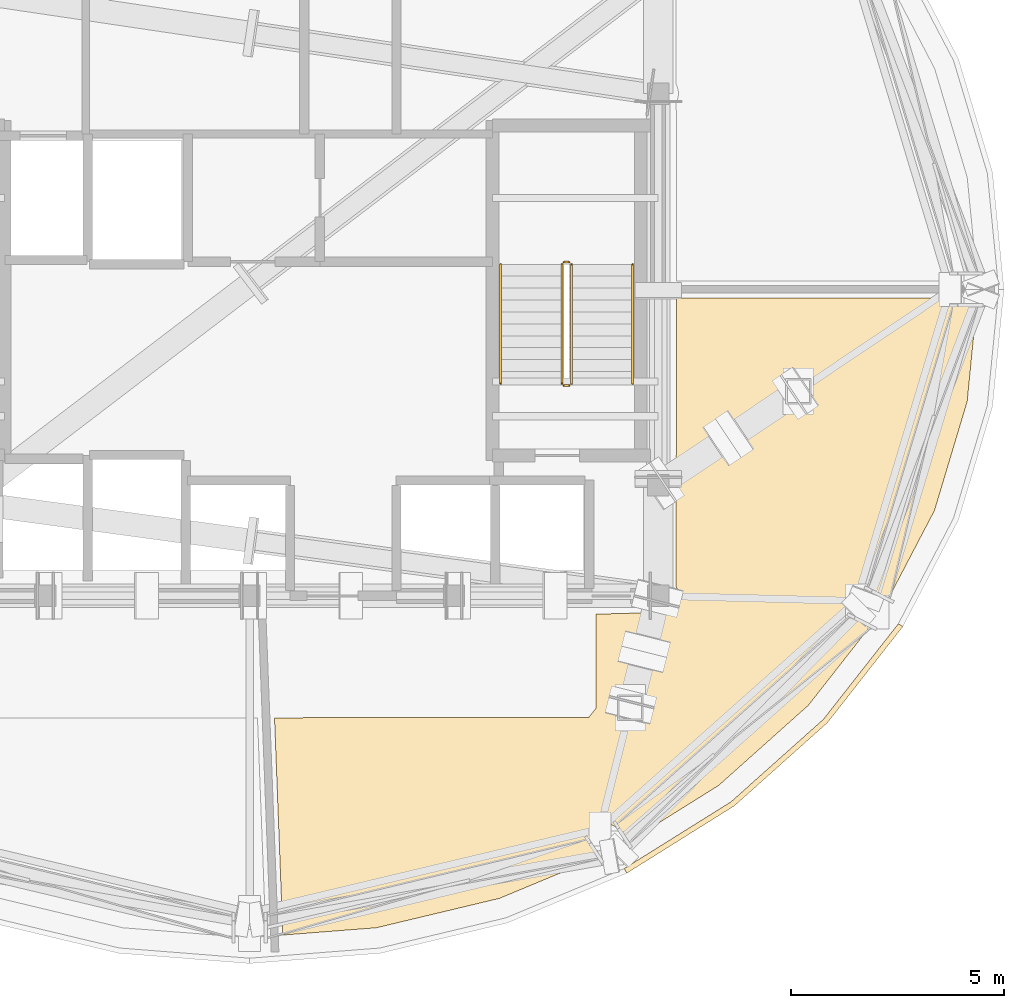
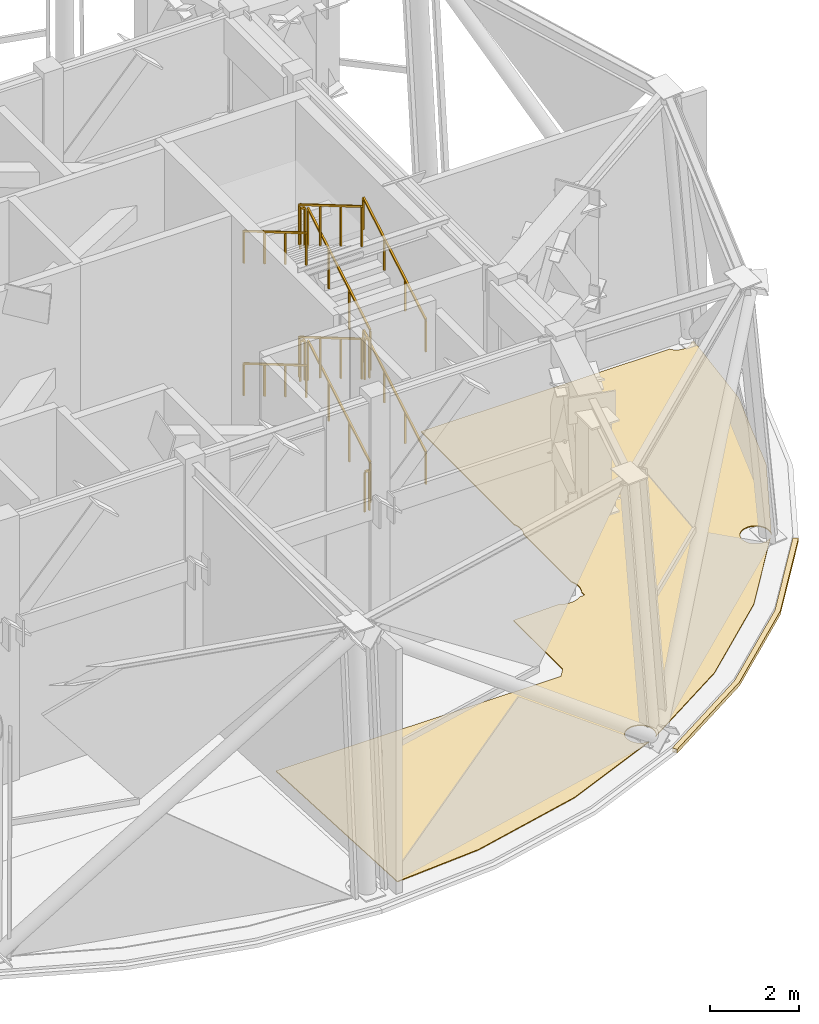
# One storey, part 11 of 12: 12 railings, 2 coverings.
"""IFC4 building model written with IfcOpenShell, lengths in metres."""

from ifc_helpers import new_model, si_unit, direction, frame, origin, origin_2d, place, context, subcontext, project, spatial, polyline, rectangle, outline, extrude, material, layer, layer_set, type_object, element, save


model = new_model("IFC4")

# Units and contexts
model_context = context("Model", 3, precision=1e-05, world=origin(), true_north=direction((0.0, 1.0)))
body_context = subcontext(model_context, "Body", "Model", "MODEL_VIEW")
ifc_project = project(units=[si_unit("LENGTHUNIT", "METRE"), si_unit("AREAUNIT", "SQUARE_METRE"), si_unit("VOLUMEUNIT", "CUBIC_METRE"), si_unit("PLANEANGLEUNIT", "RADIAN"), si_unit("MASSUNIT", "GRAM", prefix="KILO")], contexts=[model_context])

# Site, building, storey
site_placement = place(None, origin())
site = spatial("IfcSite", under=ifc_project, at=site_placement, CompositionType="ELEMENT")
building_placement = place(site_placement, origin())
building = spatial("IfcBuilding", under=site, at=building_placement, Name="Vantalir Tower", CompositionType="ELEMENT")
storey_placement = place(building_placement, frame((0.0, 0.0, 304.5)))
storey = spatial("IfcBuildingStorey", under=building, at=storey_placement, Name="L76", CompositionType="ELEMENT", Elevation=304.5)

# Coverings
ifc_material_1 = material(Name="Anodised champagne aluminium sill fascia", Category="aluminium")
ifc_layer_1 = layer(ifc_material_1, 0.125)
ifc_layer_set_1 = layer_set([ifc_layer_1], Name="Anodised champagne aluminium sill fascia")
covering_type_1 = type_object("IfcCoveringType", Name="COV-SLAB-FASCIA-125", PredefinedType="CLADDING", material=ifc_layer_set_1)
covering_1_placement = place(storey_placement, frame((0.0, 0.0, -0.179931640625)))
element("IfcCovering", 1, at=covering_1_placement, inside=storey, type_object=covering_type_1, Name="L76 Perimeter Slab-Edge Sill Fascia 11", PredefinedType="CLADDING", context=body_context, shape_type="SweptSolid", body=[
    extrude(outline(polyline([(40.363037109375, 11.282958984375), (42.89306640625, 12.866943359375), (45.077880859375, 14.819091796875), (46.85009765625, 17.080078125), (46.741943359375, 17.14306640625), (44.98193359375, 14.89892578125), (42.81298828125, 12.9619140625), (40.300048828125, 11.39111328125), (40.363037109375, 11.282958984375)])), origin(), (0.0, 0.0, 1.0), 0.10498046875),
])
ifc_material_2 = material(Name="Tropical teak timber and terrazzo floor finish", Category="wood")
ifc_layer_2 = layer(ifc_material_2, 0.02490234375)
ifc_layer_set_2 = layer_set([ifc_layer_2], Name="Tropical teak timber and terrazzo floor finish")
covering_type_2 = type_object("IfcCoveringType", Name="COV-TIMBER-STONE-25", PredefinedType="FLOORING", material=ifc_layer_set_2)
covering_2_placement = place(storey_placement, origin())
element("IfcCovering", 2, at=covering_2_placement, inside=storey, type_object=covering_type_2, Name="L76 High-Zone Lift Machine Room Floor Finish", PredefinedType="FLOORING", context=body_context, shape_type="SweptSolid", body=[
    extrude(outline(polyline([(48.360107421875, 22.364013671875), (48.59912109375, 24.800048828125), (48.5439453125, 24.800048828125), (48.527099609375, 24.777099609375), (48.50390625, 24.751953125), (48.47900390625, 24.72900390625), (48.450927734375, 24.7080078125), (48.4208984375, 24.68994140625), (48.389892578125, 24.676025390625), (48.35791015625, 24.6640625), (48.323974609375, 24.656005859375), (48.2900390625, 24.65087890625), (48.256103515625, 24.64892578125), (48.221923828125, 24.65087890625), (48.18798828125, 24.656005859375), (48.154052734375, 24.6640625), (48.1220703125, 24.676025390625), (48.091064453125, 24.68994140625), (48.06103515625, 24.7080078125), (48.032958984375, 24.72900390625), (48.008056640625, 24.751953125), (47.985107421875, 24.777099609375), (47.968017578125, 24.800048828125), (41.534912109375, 24.800048828125), (41.52294921875, 20.614990234375), (41.5390625, 20.58203125), (41.554931640625, 20.5380859375), (41.56591796875, 20.492919921875), (41.572998046875, 20.447021484375), (41.574951171875, 20.39990234375), (41.572998046875, 20.35302734375), (41.56591796875, 20.306884765625), (41.554931640625, 20.261962890625), (41.5390625, 20.218017578125), (41.52197265625, 20.18310546875), (41.51904296875, 18.02392578125), (41.5390625, 17.98193359375), (41.554931640625, 17.93798828125), (41.56591796875, 17.89306640625), (41.572998046875, 17.846923828125), (41.574951171875, 17.800048828125), (41.572998046875, 17.7529296875), (41.56591796875, 17.70703125), (41.554931640625, 17.662109375), (41.5390625, 17.617919921875), (41.514892578125, 17.570068359375), (41.514892578125, 17.422119140625), (41.382080078125, 17.41796875), (41.364013671875, 17.405029296875), (41.323974609375, 17.381103515625), (41.281982421875, 17.361083984375), (41.238037109375, 17.344970703125), (41.193115234375, 17.333984375), (41.14697265625, 17.326904296875), (41.10009765625, 17.324951171875), (41.052978515625, 17.326904296875), (41.007080078125, 17.333984375), (40.9619140625, 17.344970703125), (40.91796875, 17.361083984375), (40.8759765625, 17.381103515625), (40.840087890625, 17.403076171875), (39.639892578125, 17.368896484375), (39.639892578125, 15.160888671875), (39.462890625, 14.93994140625), (32.0849609375, 14.93505859375), (32.280029296875, 9.8291015625), (34.48095703125, 10.0009765625), (37.37109375, 10.69189453125), (39.89990234375, 11.743896484375), (39.8779296875, 11.742919921875), (39.843994140625, 11.7451171875), (39.81005859375, 11.75), (39.77587890625, 11.758056640625), (39.743896484375, 11.77001953125), (39.712890625, 11.783935546875), (39.68310546875, 11.802001953125), (39.655029296875, 11.822998046875), (39.6298828125, 11.845947265625), (39.60693359375, 11.87109375), (39.5859375, 11.89892578125), (39.568115234375, 11.928955078125), (39.553955078125, 11.9599609375), (39.5419921875, 11.991943359375), (39.533935546875, 12.02587890625), (39.529052734375, 12.06005859375), (39.527099609375, 12.093994140625), (39.529052734375, 12.1279296875), (39.533935546875, 12.162109375), (39.5419921875, 12.196044921875), (39.553955078125, 12.22802734375), (39.568115234375, 12.259033203125), (39.5859375, 12.2890625), (39.60693359375, 12.31689453125), (39.6298828125, 12.342041015625), (39.655029296875, 12.364990234375), (39.68310546875, 12.385986328125), (39.712890625, 12.404052734375), (39.743896484375, 12.41796875), (39.77587890625, 12.429931640625), (39.81005859375, 12.43798828125), (39.843994140625, 12.443115234375), (39.8779296875, 12.445068359375), (39.912109375, 12.443115234375), (39.946044921875, 12.43798828125), (39.97998046875, 12.429931640625), (40.011962890625, 12.41796875), (40.04296875, 12.404052734375), (40.072998046875, 12.385986328125), (40.10107421875, 12.364990234375), (40.1259765625, 12.342041015625), (40.14892578125, 12.31689453125), (40.169921875, 12.2890625), (40.18798828125, 12.259033203125), (40.201904296875, 12.22802734375), (40.214111328125, 12.196044921875), (40.221923828125, 12.162109375), (40.22705078125, 12.1279296875), (40.22900390625, 12.093994140625), (40.22705078125, 12.06005859375), (40.221923828125, 12.02587890625), (40.214111328125, 11.991943359375), (40.201904296875, 11.9599609375), (40.18798828125, 11.928955078125), (40.169921875, 11.89892578125), (40.14892578125, 11.87109375), (40.131103515625, 11.85107421875), (42.52392578125, 13.346923828125), (44.6298828125, 15.22900390625), (46.235107421875, 17.278076171875), (46.20703125, 17.257080078125), (46.177001953125, 17.239013671875), (46.14599609375, 17.22509765625), (46.114013671875, 17.212890625), (46.080078125, 17.205078125), (46.0458984375, 17.199951171875), (46.011962890625, 17.197998046875), (45.97802734375, 17.199951171875), (45.944091796875, 17.205078125), (45.909912109375, 17.212890625), (45.8779296875, 17.22509765625), (45.846923828125, 17.239013671875), (45.81689453125, 17.257080078125), (45.7890625, 17.278076171875), (45.763916015625, 17.301025390625), (45.740966796875, 17.325927734375), (45.719970703125, 17.35400390625), (45.701904296875, 17.384033203125), (45.68798828125, 17.4150390625), (45.676025390625, 17.447021484375), (45.66796875, 17.48095703125), (45.6630859375, 17.514892578125), (45.660888671875, 17.549072265625), (45.6630859375, 17.5830078125), (45.66796875, 17.616943359375), (45.676025390625, 17.65087890625), (45.68798828125, 17.68310546875), (45.701904296875, 17.714111328125), (45.719970703125, 17.743896484375), (45.740966796875, 17.77197265625), (45.763916015625, 17.797119140625), (45.7890625, 17.820068359375), (45.81689453125, 17.841064453125), (45.846923828125, 17.85888671875), (45.8779296875, 17.873046875), (45.909912109375, 17.885009765625), (45.944091796875, 17.89306640625), (45.97802734375, 17.89794921875), (46.011962890625, 17.89990234375), (46.0458984375, 17.89794921875), (46.080078125, 17.89306640625), (46.114013671875, 17.885009765625), (46.14599609375, 17.873046875), (46.177001953125, 17.85888671875), (46.20703125, 17.841064453125), (46.235107421875, 17.820068359375), (46.260009765625, 17.797119140625), (46.282958984375, 17.77197265625), (46.303955078125, 17.743896484375), (46.322021484375, 17.714111328125), (46.3359375, 17.68310546875), (46.347900390625, 17.65087890625), (46.35595703125, 17.616943359375), (46.361083984375, 17.5830078125), (46.363037109375, 17.549072265625), (46.361083984375, 17.514892578125), (46.35595703125, 17.48095703125), (46.347900390625, 17.447021484375), (46.3359375, 17.4150390625), (46.322998046875, 17.386962890625), (46.3369140625, 17.404052734375), (47.593017578125, 19.806884765625), (48.360107421875, 22.364013671875)])), origin(), (0.0, 0.0, 1.0), 0.02490234375),
])

# Railings
ifc_material_3 = material(Name="Anodised aluminium and stainless steel guard", Category="steel")
railing_type_1 = type_object("IfcRailingType", Name="RAL-GUARD-1120", PredefinedType="GUARDRAIL", material=ifc_material_3)
railing_1_placement = place(storey_placement, frame((39.06005859375, 22.7900390625, 0.164794921875)))
element("IfcRailing", 3, at=railing_1_placement, inside=storey, type_object=railing_type_1, Name="L76 ST2 stair guard 1", PredefinedType="GUARDRAIL", context=body_context, shape_type="SweptSolid", body=[
    extrude(rectangle(XDim=0.048095703125, YDim=0.048095703125, at=origin_2d()), frame((0.0, 0.0, 1.09619140625), z_axis=(0.0, 0.861851137157, 0.507161332695), x_axis=(-1.0, 0.0, 0.0)), (0.0, 0.0, 1.0), 3.248779296875),
    extrude(rectangle(XDim=0.0419921875, YDim=0.0419921875, at=origin_2d()), origin(), (0.0, 0.0, 1.0), 1.072021484375),
    extrude(rectangle(XDim=0.0419921875, YDim=0.0419921875, at=origin_2d()), frame((0.0, 0.933349609375, 0.54931640625)), (0.0, 0.0, 1.0), 1.072021484375),
    extrude(rectangle(XDim=0.0419921875, YDim=0.0419921875, at=origin_2d()), frame((0.0, 1.86669921875, 1.098388671875)), (0.0, 0.0, 1.0), 1.072021484375),
    extrude(rectangle(XDim=0.0419921875, YDim=0.0419921875, at=origin_2d()), frame((0.0, 2.800048828125, 1.647705078125)), (0.0, 0.0, 1.0), 1.072021484375),
])
railing_2_placement = place(storey_placement, frame((39.010009765625, 25.639892578125, 1.8125)))
element("IfcRailing", 4, at=railing_2_placement, inside=storey, type_object=railing_type_1, Name="L76 ST2 stair guard 2", PredefinedType="GUARDRAIL", context=body_context, shape_type="SweptSolid", body=[
    extrude(rectangle(XDim=0.048095703125, YDim=0.048095703125, at=origin_2d()), frame((0.0, 0.0, 1.09619140625), z_axis=(-1.0, 0.0, 0.0), x_axis=(0.0, -1.0, 0.0)), (0.0, 0.0, 1.0), 0.1201171875),
    extrude(rectangle(XDim=0.0419921875, YDim=0.0419921875, at=origin_2d()), origin(), (0.0, 0.0, 1.0), 1.072021484375),
    extrude(rectangle(XDim=0.0419921875, YDim=0.0419921875, at=origin_2d()), frame((-0.1201171875, 0.0, 0.0)), (0.0, 0.0, 1.0), 1.072021484375),
])
railing_3_placement = place(storey_placement, frame((38.840087890625, 25.590087890625, 1.977294921875)))
element("IfcRailing", 5, at=railing_3_placement, inside=storey, type_object=railing_type_1, Name="L76 ST2 stair guard 3", PredefinedType="GUARDRAIL", context=body_context, shape_type="SweptSolid", body=[
    extrude(rectangle(XDim=0.048095703125, YDim=0.048095703125, at=origin_2d()), frame((0.0, 0.0, 1.09619140625), z_axis=(0.0, -0.861851137157, 0.507161332695), x_axis=(1.0, 0.0, 0.0)), (0.0, 0.0, 1.0), 3.248779296875),
    extrude(rectangle(XDim=0.0419921875, YDim=0.0419921875, at=origin_2d()), origin(), (0.0, 0.0, 1.0), 1.072021484375),
    extrude(rectangle(XDim=0.0419921875, YDim=0.0419921875, at=origin_2d()), frame((0.0, -0.933349609375, 0.54931640625)), (0.0, 0.0, 1.0), 1.072021484375),
    extrude(rectangle(XDim=0.0419921875, YDim=0.0419921875, at=origin_2d()), frame((0.0, -1.86669921875, 1.098388671875)), (0.0, 0.0, 1.0), 1.072021484375),
    extrude(rectangle(XDim=0.0419921875, YDim=0.0419921875, at=origin_2d()), frame((0.0, -2.800048828125, 1.647705078125)), (0.0, 0.0, 1.0), 1.072021484375),
])
railing_4_placement = place(storey_placement, frame((39.010009765625, 22.739990234375, 3.625)))
element("IfcRailing", 6, at=railing_4_placement, inside=storey, type_object=railing_type_1, Name="L76 ST2 stair guard 4", PredefinedType="GUARDRAIL", context=body_context, shape_type="SweptSolid", body=[
    extrude(rectangle(XDim=0.048095703125, YDim=0.048095703125, at=origin_2d()), frame((0.0, 0.0, 1.09619140625), z_axis=(-1.0, 0.0, 0.0), x_axis=(0.0, -1.0, 0.0)), (0.0, 0.0, 1.0), 0.1201171875),
    extrude(rectangle(XDim=0.0419921875, YDim=0.0419921875, at=origin_2d()), origin(), (0.0, 0.0, 1.0), 1.072021484375),
    extrude(rectangle(XDim=0.0419921875, YDim=0.0419921875, at=origin_2d()), frame((-0.1201171875, 0.0, 0.0)), (0.0, 0.0, 1.0), 1.072021484375),
])
railing_5_placement = place(storey_placement, frame((39.06005859375, 22.7900390625, 3.789794921875)))
element("IfcRailing", 7, at=railing_5_placement, inside=storey, type_object=railing_type_1, Name="L76 ST2 stair guard 5", PredefinedType="GUARDRAIL", context=body_context, shape_type="SweptSolid", body=[
    extrude(rectangle(XDim=0.048095703125, YDim=0.048095703125, at=origin_2d()), frame((0.0, 0.0, 1.09619140625), z_axis=(0.0, 0.861851137157, 0.507161332695), x_axis=(-1.0, 0.0, 0.0)), (0.0, 0.0, 1.0), 3.248779296875),
    extrude(rectangle(XDim=0.0419921875, YDim=0.0419921875, at=origin_2d()), origin(), (0.0, 0.0, 1.0), 1.072021484375),
    extrude(rectangle(XDim=0.0419921875, YDim=0.0419921875, at=origin_2d()), frame((0.0, 0.933349609375, 0.54931640625)), (0.0, 0.0, 1.0), 1.072021484375),
    extrude(rectangle(XDim=0.0419921875, YDim=0.0419921875, at=origin_2d()), frame((0.0, 1.86669921875, 1.098388671875)), (0.0, 0.0, 1.0), 1.072021484375),
    extrude(rectangle(XDim=0.0419921875, YDim=0.0419921875, at=origin_2d()), frame((0.0, 2.800048828125, 1.647705078125)), (0.0, 0.0, 1.0), 1.072021484375),
])
railing_6_placement = place(storey_placement, frame((39.010009765625, 25.639892578125, 5.4375)))
element("IfcRailing", 8, at=railing_6_placement, inside=storey, type_object=railing_type_1, Name="L76 ST2 stair guard 6", PredefinedType="GUARDRAIL", context=body_context, shape_type="SweptSolid", body=[
    extrude(rectangle(XDim=0.048095703125, YDim=0.048095703125, at=origin_2d()), frame((0.0, 0.0, 1.09619140625), z_axis=(-1.0, 0.0, 0.0), x_axis=(0.0, -1.0, 0.0)), (0.0, 0.0, 1.0), 0.1201171875),
    extrude(rectangle(XDim=0.0419921875, YDim=0.0419921875, at=origin_2d()), origin(), (0.0, 0.0, 1.0), 1.072021484375),
    extrude(rectangle(XDim=0.0419921875, YDim=0.0419921875, at=origin_2d()), frame((-0.1201171875, 0.0, 0.0)), (0.0, 0.0, 1.0), 1.072021484375),
])
railing_7_placement = place(storey_placement, frame((38.840087890625, 25.590087890625, 5.602294921875)))
element("IfcRailing", 9, at=railing_7_placement, inside=storey, type_object=railing_type_1, Name="L76 ST2 stair guard 7", PredefinedType="GUARDRAIL", context=body_context, shape_type="SweptSolid", body=[
    extrude(rectangle(XDim=0.048095703125, YDim=0.048095703125, at=origin_2d()), frame((0.0, 0.0, 1.09619140625), z_axis=(0.0, -0.861851137157, 0.507161332695), x_axis=(1.0, 0.0, 0.0)), (0.0, 0.0, 1.0), 3.248779296875),
    extrude(rectangle(XDim=0.0419921875, YDim=0.0419921875, at=origin_2d()), origin(), (0.0, 0.0, 1.0), 1.072021484375),
    extrude(rectangle(XDim=0.0419921875, YDim=0.0419921875, at=origin_2d()), frame((0.0, -0.933349609375, 0.54931640625)), (0.0, 0.0, 1.0), 1.072021484375),
    extrude(rectangle(XDim=0.0419921875, YDim=0.0419921875, at=origin_2d()), frame((0.0, -1.86669921875, 1.098388671875)), (0.0, 0.0, 1.0), 1.072021484375),
    extrude(rectangle(XDim=0.0419921875, YDim=0.0419921875, at=origin_2d()), frame((0.0, -2.800048828125, 1.647705078125)), (0.0, 0.0, 1.0), 1.072021484375),
])
railing_8_placement = place(storey_placement, frame((39.010009765625, 22.739990234375, 0.0)))
element("IfcRailing", 10, at=railing_8_placement, inside=storey, type_object=railing_type_1, Name="L76 ST2 stair guard 8", PredefinedType="GUARDRAIL", context=body_context, shape_type="SweptSolid", body=[
    extrude(rectangle(XDim=0.048095703125, YDim=0.048095703125, at=origin_2d()), frame((0.0, 0.0, 1.09619140625), z_axis=(-1.0, 0.0, 0.0), x_axis=(0.0, -1.0, 0.0)), (0.0, 0.0, 1.0), 0.1201171875),
    extrude(rectangle(XDim=0.0419921875, YDim=0.0419921875, at=origin_2d()), origin(), (0.0, 0.0, 1.0), 1.072021484375),
    extrude(rectangle(XDim=0.0419921875, YDim=0.0419921875, at=origin_2d()), frame((-0.1201171875, 0.0, 0.0)), (0.0, 0.0, 1.0), 1.072021484375),
])
ifc_material_4 = material(Name="Brushed stainless steel tubular handrail", Category="steel")
railing_type_2 = type_object("IfcRailingType", Name="RAL-HANDRAIL-900", PredefinedType="HANDRAIL", material=ifc_material_4)
railing_9_placement = place(storey_placement, frame((40.5, 22.7900390625, 0.164794921875)))
element("IfcRailing", 11, at=railing_9_placement, inside=storey, type_object=railing_type_2, Name="L76 ST2 stair handrail 1", PredefinedType="HANDRAIL", context=body_context, shape_type="SweptSolid", body=[
    extrude(rectangle(XDim=0.048095703125, YDim=0.048095703125, at=origin_2d()), frame((0.0, 0.0, 0.8759765625), z_axis=(0.0, 0.861851137157, 0.507161332695), x_axis=(-1.0, 0.0, 0.0)), (0.0, 0.0, 1.0), 3.248779296875),
    extrude(rectangle(XDim=0.0419921875, YDim=0.0419921875, at=origin_2d()), origin(), (0.0, 0.0, 1.0), 0.851806640625),
    extrude(rectangle(XDim=0.0419921875, YDim=0.0419921875, at=origin_2d()), frame((0.0, 0.933349609375, 0.54931640625)), (0.0, 0.0, 1.0), 0.851806640625),
    extrude(rectangle(XDim=0.0419921875, YDim=0.0419921875, at=origin_2d()), frame((0.0, 1.86669921875, 1.098388671875)), (0.0, 0.0, 1.0), 0.851806640625),
    extrude(rectangle(XDim=0.0419921875, YDim=0.0419921875, at=origin_2d()), frame((0.0, 2.800048828125, 1.647705078125)), (0.0, 0.0, 1.0), 0.851806640625),
])
railing_10_placement = place(storey_placement, frame((37.39990234375, 25.590087890625, 1.977294921875)))
element("IfcRailing", 12, at=railing_10_placement, inside=storey, type_object=railing_type_2, Name="L76 ST2 stair handrail 2", PredefinedType="HANDRAIL", context=body_context, shape_type="SweptSolid", body=[
    extrude(rectangle(XDim=0.048095703125, YDim=0.048095703125, at=origin_2d()), frame((0.0, 0.0, 0.8759765625), z_axis=(0.0, -0.861851137157, 0.507161332695), x_axis=(1.0, 0.0, 0.0)), (0.0, 0.0, 1.0), 3.248779296875),
    extrude(rectangle(XDim=0.0419921875, YDim=0.0419921875, at=origin_2d()), origin(), (0.0, 0.0, 1.0), 0.851806640625),
    extrude(rectangle(XDim=0.0419921875, YDim=0.0419921875, at=origin_2d()), frame((0.0, -0.933349609375, 0.54931640625)), (0.0, 0.0, 1.0), 0.851806640625),
    extrude(rectangle(XDim=0.0419921875, YDim=0.0419921875, at=origin_2d()), frame((0.0, -1.86669921875, 1.098388671875)), (0.0, 0.0, 1.0), 0.851806640625),
    extrude(rectangle(XDim=0.0419921875, YDim=0.0419921875, at=origin_2d()), frame((0.0, -2.800048828125, 1.647705078125)), (0.0, 0.0, 1.0), 0.851806640625),
])
railing_11_placement = place(storey_placement, frame((40.5, 22.7900390625, 3.789794921875)))
element("IfcRailing", 13, at=railing_11_placement, inside=storey, type_object=railing_type_2, Name="L76 ST2 stair handrail 3", PredefinedType="HANDRAIL", context=body_context, shape_type="SweptSolid", body=[
    extrude(rectangle(XDim=0.048095703125, YDim=0.048095703125, at=origin_2d()), frame((0.0, 0.0, 0.8759765625), z_axis=(0.0, 0.861851137157, 0.507161332695), x_axis=(-1.0, 0.0, 0.0)), (0.0, 0.0, 1.0), 3.248779296875),
    extrude(rectangle(XDim=0.0419921875, YDim=0.0419921875, at=origin_2d()), origin(), (0.0, 0.0, 1.0), 0.851806640625),
    extrude(rectangle(XDim=0.0419921875, YDim=0.0419921875, at=origin_2d()), frame((0.0, 0.933349609375, 0.54931640625)), (0.0, 0.0, 1.0), 0.851806640625),
    extrude(rectangle(XDim=0.0419921875, YDim=0.0419921875, at=origin_2d()), frame((0.0, 1.86669921875, 1.098388671875)), (0.0, 0.0, 1.0), 0.851806640625),
    extrude(rectangle(XDim=0.0419921875, YDim=0.0419921875, at=origin_2d()), frame((0.0, 2.800048828125, 1.647705078125)), (0.0, 0.0, 1.0), 0.851806640625),
])
railing_12_placement = place(storey_placement, frame((37.39990234375, 25.590087890625, 5.602294921875)))
element("IfcRailing", 14, at=railing_12_placement, inside=storey, type_object=railing_type_2, Name="L76 ST2 stair handrail 4", PredefinedType="HANDRAIL", context=body_context, shape_type="SweptSolid", body=[
    extrude(rectangle(XDim=0.048095703125, YDim=0.048095703125, at=origin_2d()), frame((0.0, 0.0, 0.8759765625), z_axis=(0.0, -0.861851137157, 0.507161332695), x_axis=(1.0, 0.0, 0.0)), (0.0, 0.0, 1.0), 3.248779296875),
    extrude(rectangle(XDim=0.0419921875, YDim=0.0419921875, at=origin_2d()), origin(), (0.0, 0.0, 1.0), 0.851806640625),
    extrude(rectangle(XDim=0.0419921875, YDim=0.0419921875, at=origin_2d()), frame((0.0, -0.933349609375, 0.54931640625)), (0.0, 0.0, 1.0), 0.851806640625),
    extrude(rectangle(XDim=0.0419921875, YDim=0.0419921875, at=origin_2d()), frame((0.0, -1.86669921875, 1.098388671875)), (0.0, 0.0, 1.0), 0.851806640625),
    extrude(rectangle(XDim=0.0419921875, YDim=0.0419921875, at=origin_2d()), frame((0.0, -2.800048828125, 1.647705078125)), (0.0, 0.0, 1.0), 0.851806640625),
])

save(model, "model.ifc")
